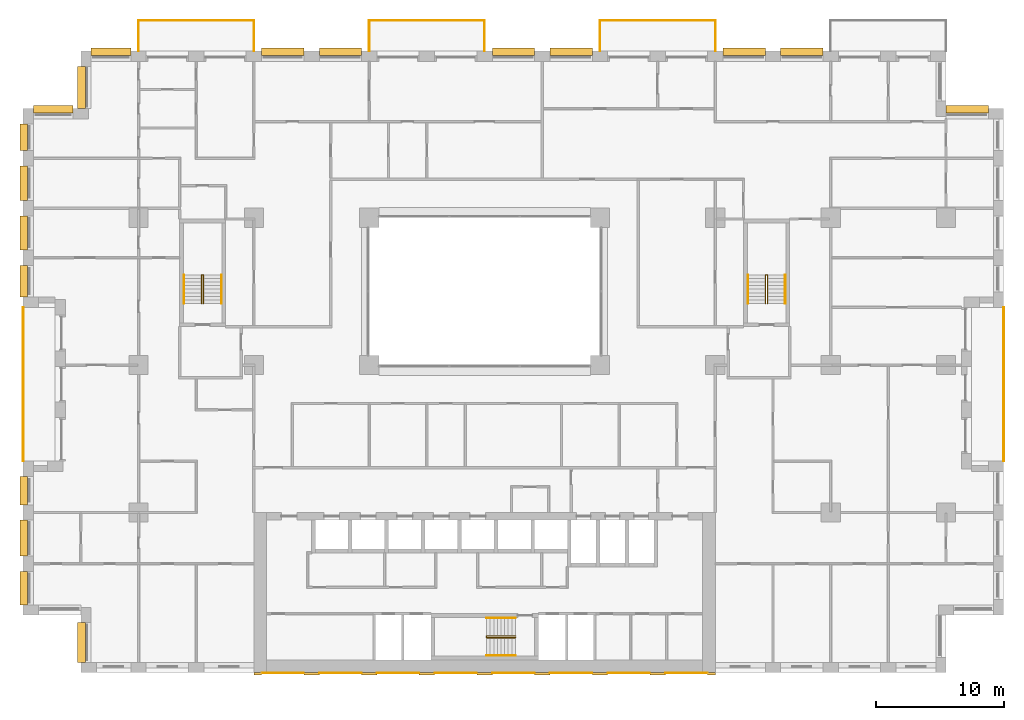
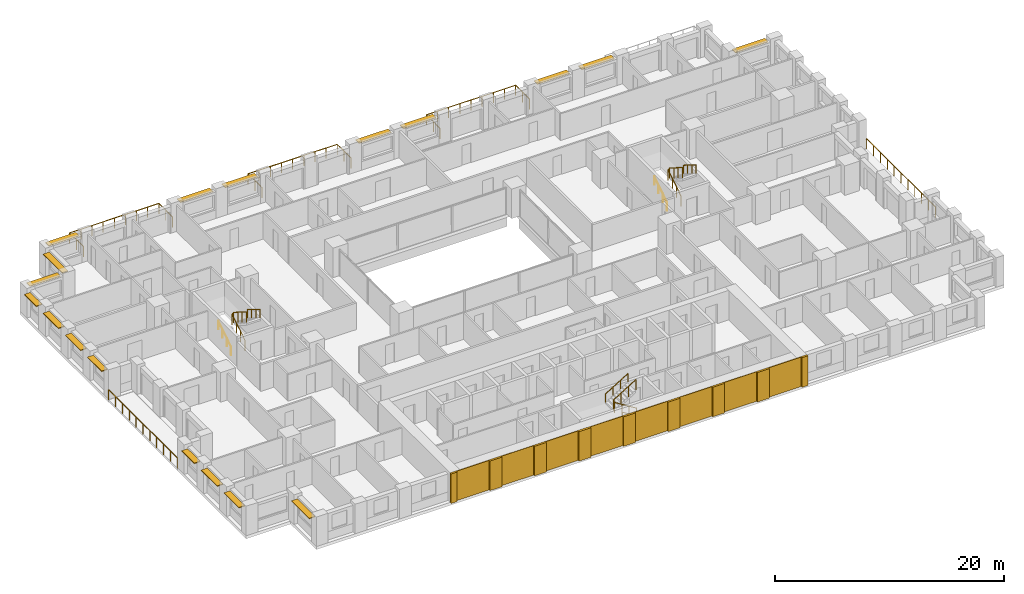
# One storey, part 19 of 20: 18 shading devices, 17 coverings, 14 railings.
"""IFC4 building model written with IfcOpenShell, lengths in metres."""

from ifc_helpers import new_model, si_unit, direction, frame, origin, origin_2d, place, context, subcontext, project, spatial, rectangle, circle, extrude, material, layer, layer_set, type_object, element, save


model = new_model("IFC4")

# Units and contexts
model_context = context("Model", 3, precision=1e-05, world=origin(), true_north=direction((0.0, 1.0)))
body_context = subcontext(model_context, "Body", "Model", "MODEL_VIEW")
ifc_project = project(units=[si_unit("LENGTHUNIT", "METRE"), si_unit("AREAUNIT", "SQUARE_METRE"), si_unit("VOLUMEUNIT", "CUBIC_METRE"), si_unit("PLANEANGLEUNIT", "RADIAN"), si_unit("MASSUNIT", "GRAM", prefix="KILO")], contexts=[model_context])

# Site, building, storey
site_placement = place(None, origin())
site = spatial("IfcSite", under=ifc_project, at=site_placement, CompositionType="ELEMENT")
building_placement = place(site_placement, origin())
building = spatial("IfcBuilding", under=site, at=building_placement, Name="Brigalow Station Residences", CompositionType="ELEMENT")
storey_placement = place(building_placement, frame((0.0, 0.0, 63.60009765625)))
storey = spatial("IfcBuildingStorey", under=building, at=storey_placement, Name="L18", CompositionType="ELEMENT", Elevation=63.60009765625)

# Railings
ifc_material_1 = material(Name="Stainless steel balustrade with laminated glass infill", Category="steel")
railing_type_1 = type_object("IfcRailingType", Name="BALCONY GUARD 1100", PredefinedType="GUARDRAIL", material=ifc_material_1)
railing_1_placement = place(storey_placement, frame((76.5, 16.5, -0.0400390625)))
element("IfcRailing", 1, at=railing_1_placement, inside=storey, type_object=railing_type_1, Name="L18/balcony-guard/1", PredefinedType="GUARDRAIL", context=body_context, shape_type="SweptSolid", body=[
    extrude(circle(Radius=0.02392578125, at=origin_2d()), frame((0.0, 0.0, 1.076171875), z_axis=(0.0, 1.0, 0.0), x_axis=(-1.0, 0.0, 0.0)), (0.0, 0.0, 1.0), 12.0),
    extrude(circle(Radius=0.02099609375, at=origin_2d()), origin(), (0.0, 0.0, 1.0), 1.052001953125),
    extrude(circle(Radius=0.02099609375, at=origin_2d()), frame((0.0, 1.199951171875, 0.0)), (0.0, 0.0, 1.0), 1.052001953125),
    extrude(circle(Radius=0.02099609375, at=origin_2d()), frame((0.0, 2.39990234375, 0.0)), (0.0, 0.0, 1.0), 1.052001953125),
    extrude(circle(Radius=0.02099609375, at=origin_2d()), frame((0.0, 3.60009765625, 0.0)), (0.0, 0.0, 1.0), 1.052001953125),
    extrude(circle(Radius=0.02099609375, at=origin_2d()), frame((0.0, 4.800048828125, 0.0)), (0.0, 0.0, 1.0), 1.052001953125),
    extrude(circle(Radius=0.02099609375, at=origin_2d()), frame((0.0, 6.0, 0.0)), (0.0, 0.0, 1.0), 1.052001953125),
    extrude(circle(Radius=0.02099609375, at=origin_2d()), frame((0.0, 7.199951171875, 0.0)), (0.0, 0.0, 1.0), 1.052001953125),
    extrude(circle(Radius=0.02099609375, at=origin_2d()), frame((0.0, 8.39990234375, 0.0)), (0.0, 0.0, 1.0), 1.052001953125),
    extrude(circle(Radius=0.02099609375, at=origin_2d()), frame((0.0, 9.60009765625, 0.0)), (0.0, 0.0, 1.0), 1.052001953125),
    extrude(circle(Radius=0.02099609375, at=origin_2d()), frame((0.0, 10.800048828125, 0.0)), (0.0, 0.0, 1.0), 1.052001953125),
    extrude(circle(Radius=0.02099609375, at=origin_2d()), frame((0.0, 12.0, 0.0)), (0.0, 0.0, 1.0), 1.052001953125),
])
railing_2_placement = place(storey_placement, frame((54.0, 48.5, -0.0400390625)))
element("IfcRailing", 2, at=railing_2_placement, inside=storey, type_object=railing_type_1, Name="L18/balcony-guard/3", PredefinedType="GUARDRAIL", context=body_context, shape_type="SweptSolid", body=[
    extrude(circle(Radius=0.02392578125, at=origin_2d()), frame((0.0, 0.0, 1.076171875), z_axis=(0.0, 1.0, 0.0), x_axis=(-1.0, 0.0, 0.0)), (0.0, 0.0, 1.0), 2.39990234375),
    extrude(circle(Radius=0.02392578125, at=origin_2d()), frame((0.0, 2.39990234375, 1.076171875), z_axis=(-1.0, 0.0, 0.0), x_axis=(0.0, -1.0, 0.0)), (0.0, 0.0, 1.0), 9.0),
    extrude(circle(Radius=0.02392578125, at=origin_2d()), frame((-9.0, 2.39990234375, 1.076171875), z_axis=(0.0, -1.0, 0.0), x_axis=(1.0, 0.0, 0.0)), (0.0, 0.0, 1.0), 2.39990234375),
    extrude(circle(Radius=0.02099609375, at=origin_2d()), origin(), (0.0, 0.0, 1.0), 1.052001953125),
    extrude(circle(Radius=0.02099609375, at=origin_2d()), frame((0.0, 1.199951171875, 0.0)), (0.0, 0.0, 1.0), 1.052001953125),
    extrude(circle(Radius=0.02099609375, at=origin_2d()), frame((0.0, 2.39990234375, 0.0)), (0.0, 0.0, 1.0), 1.052001953125),
    extrude(circle(Radius=0.02099609375, at=origin_2d()), frame((-1.125, 2.39990234375, 0.0)), (0.0, 0.0, 1.0), 1.052001953125),
    extrude(circle(Radius=0.02099609375, at=origin_2d()), frame((-2.25, 2.39990234375, 0.0)), (0.0, 0.0, 1.0), 1.052001953125),
    extrude(circle(Radius=0.02099609375, at=origin_2d()), frame((-3.375, 2.39990234375, 0.0)), (0.0, 0.0, 1.0), 1.052001953125),
    extrude(circle(Radius=0.02099609375, at=origin_2d()), frame((-4.5, 2.39990234375, 0.0)), (0.0, 0.0, 1.0), 1.052001953125),
    extrude(circle(Radius=0.02099609375, at=origin_2d()), frame((-5.625, 2.39990234375, 0.0)), (0.0, 0.0, 1.0), 1.052001953125),
    extrude(circle(Radius=0.02099609375, at=origin_2d()), frame((-6.75, 2.39990234375, 0.0)), (0.0, 0.0, 1.0), 1.052001953125),
    extrude(circle(Radius=0.02099609375, at=origin_2d()), frame((-7.875, 2.39990234375, 0.0)), (0.0, 0.0, 1.0), 1.052001953125),
    extrude(circle(Radius=0.02099609375, at=origin_2d()), frame((-9.0, 2.39990234375, 0.0)), (0.0, 0.0, 1.0), 1.052001953125),
    extrude(circle(Radius=0.02099609375, at=origin_2d()), frame((-9.0, 1.199951171875, 0.0)), (0.0, 0.0, 1.0), 1.052001953125),
    extrude(circle(Radius=0.02099609375, at=origin_2d()), frame((-9.0, 0.0, 0.0)), (0.0, 0.0, 1.0), 1.052001953125),
])
railing_3_placement = place(storey_placement, frame((36.0, 48.5, -0.0400390625)))
element("IfcRailing", 3, at=railing_3_placement, inside=storey, type_object=railing_type_1, Name="L18/balcony-guard/4", PredefinedType="GUARDRAIL", context=body_context, shape_type="SweptSolid", body=[
    extrude(circle(Radius=0.02392578125, at=origin_2d()), frame((0.0, 0.0, 1.076171875), z_axis=(0.0, 1.0, 0.0), x_axis=(-1.0, 0.0, 0.0)), (0.0, 0.0, 1.0), 2.39990234375),
    extrude(circle(Radius=0.02392578125, at=origin_2d()), frame((0.0, 2.39990234375, 1.076171875), z_axis=(-1.0, 0.0, 0.0), x_axis=(0.0, -1.0, 0.0)), (0.0, 0.0, 1.0), 9.0),
    extrude(circle(Radius=0.02392578125, at=origin_2d()), frame((-9.0, 2.39990234375, 1.076171875), z_axis=(0.0, -1.0, 0.0), x_axis=(1.0, 0.0, 0.0)), (0.0, 0.0, 1.0), 2.39990234375),
    extrude(circle(Radius=0.02099609375, at=origin_2d()), origin(), (0.0, 0.0, 1.0), 1.052001953125),
    extrude(circle(Radius=0.02099609375, at=origin_2d()), frame((0.0, 1.199951171875, 0.0)), (0.0, 0.0, 1.0), 1.052001953125),
    extrude(circle(Radius=0.02099609375, at=origin_2d()), frame((0.0, 2.39990234375, 0.0)), (0.0, 0.0, 1.0), 1.052001953125),
    extrude(circle(Radius=0.02099609375, at=origin_2d()), frame((-1.125, 2.39990234375, 0.0)), (0.0, 0.0, 1.0), 1.052001953125),
    extrude(circle(Radius=0.02099609375, at=origin_2d()), frame((-2.25, 2.39990234375, 0.0)), (0.0, 0.0, 1.0), 1.052001953125),
    extrude(circle(Radius=0.02099609375, at=origin_2d()), frame((-3.375, 2.39990234375, 0.0)), (0.0, 0.0, 1.0), 1.052001953125),
    extrude(circle(Radius=0.02099609375, at=origin_2d()), frame((-4.5, 2.39990234375, 0.0)), (0.0, 0.0, 1.0), 1.052001953125),
    extrude(circle(Radius=0.02099609375, at=origin_2d()), frame((-5.625, 2.39990234375, 0.0)), (0.0, 0.0, 1.0), 1.052001953125),
    extrude(circle(Radius=0.02099609375, at=origin_2d()), frame((-6.75, 2.39990234375, 0.0)), (0.0, 0.0, 1.0), 1.052001953125),
    extrude(circle(Radius=0.02099609375, at=origin_2d()), frame((-7.875, 2.39990234375, 0.0)), (0.0, 0.0, 1.0), 1.052001953125),
    extrude(circle(Radius=0.02099609375, at=origin_2d()), frame((-9.0, 2.39990234375, 0.0)), (0.0, 0.0, 1.0), 1.052001953125),
    extrude(circle(Radius=0.02099609375, at=origin_2d()), frame((-9.0, 1.199951171875, 0.0)), (0.0, 0.0, 1.0), 1.052001953125),
    extrude(circle(Radius=0.02099609375, at=origin_2d()), frame((-9.0, 0.0, 0.0)), (0.0, 0.0, 1.0), 1.052001953125),
])
railing_4_placement = place(storey_placement, frame((18.0, 48.5, -0.0400390625)))
element("IfcRailing", 4, at=railing_4_placement, inside=storey, type_object=railing_type_1, Name="L18/balcony-guard/5", PredefinedType="GUARDRAIL", context=body_context, shape_type="SweptSolid", body=[
    extrude(circle(Radius=0.02392578125, at=origin_2d()), frame((0.0, 0.0, 1.076171875), z_axis=(0.0, 1.0, 0.0), x_axis=(-1.0, 0.0, 0.0)), (0.0, 0.0, 1.0), 2.39990234375),
    extrude(circle(Radius=0.02392578125, at=origin_2d()), frame((0.0, 2.39990234375, 1.076171875), z_axis=(-1.0, 0.0, 0.0), x_axis=(0.0, -1.0, 0.0)), (0.0, 0.0, 1.0), 9.0),
    extrude(circle(Radius=0.02392578125, at=origin_2d()), frame((-9.0, 2.39990234375, 1.076171875), z_axis=(0.0, -1.0, 0.0), x_axis=(1.0, 0.0, 0.0)), (0.0, 0.0, 1.0), 2.39990234375),
    extrude(circle(Radius=0.02099609375, at=origin_2d()), origin(), (0.0, 0.0, 1.0), 1.052001953125),
    extrude(circle(Radius=0.02099609375, at=origin_2d()), frame((0.0, 1.199951171875, 0.0)), (0.0, 0.0, 1.0), 1.052001953125),
    extrude(circle(Radius=0.02099609375, at=origin_2d()), frame((0.0, 2.39990234375, 0.0)), (0.0, 0.0, 1.0), 1.052001953125),
    extrude(circle(Radius=0.02099609375, at=origin_2d()), frame((-1.125, 2.39990234375, 0.0)), (0.0, 0.0, 1.0), 1.052001953125),
    extrude(circle(Radius=0.02099609375, at=origin_2d()), frame((-2.25, 2.39990234375, 0.0)), (0.0, 0.0, 1.0), 1.052001953125),
    extrude(circle(Radius=0.02099609375, at=origin_2d()), frame((-3.375, 2.39990234375, 0.0)), (0.0, 0.0, 1.0), 1.052001953125),
    extrude(circle(Radius=0.02099609375, at=origin_2d()), frame((-4.5, 2.39990234375, 0.0)), (0.0, 0.0, 1.0), 1.052001953125),
    extrude(circle(Radius=0.02099609375, at=origin_2d()), frame((-5.625, 2.39990234375, 0.0)), (0.0, 0.0, 1.0), 1.052001953125),
    extrude(circle(Radius=0.02099609375, at=origin_2d()), frame((-6.75, 2.39990234375, 0.0)), (0.0, 0.0, 1.0), 1.052001953125),
    extrude(circle(Radius=0.02099609375, at=origin_2d()), frame((-7.875, 2.39990234375, 0.0)), (0.0, 0.0, 1.0), 1.052001953125),
    extrude(circle(Radius=0.02099609375, at=origin_2d()), frame((-9.0, 2.39990234375, 0.0)), (0.0, 0.0, 1.0), 1.052001953125),
    extrude(circle(Radius=0.02099609375, at=origin_2d()), frame((-9.0, 1.199951171875, 0.0)), (0.0, 0.0, 1.0), 1.052001953125),
    extrude(circle(Radius=0.02099609375, at=origin_2d()), frame((-9.0, 0.0, 0.0)), (0.0, 0.0, 1.0), 1.052001953125),
])
railing_5_placement = place(storey_placement, frame((0.0, 28.5, -0.0400390625)))
element("IfcRailing", 5, at=railing_5_placement, inside=storey, type_object=railing_type_1, Name="L18/balcony-guard/6", PredefinedType="GUARDRAIL", context=body_context, shape_type="SweptSolid", body=[
    extrude(circle(Radius=0.02392578125, at=origin_2d()), frame((0.0, 0.0, 1.076171875), z_axis=(0.0, -1.0, 0.0), x_axis=(1.0, 0.0, 0.0)), (0.0, 0.0, 1.0), 12.0),
    extrude(circle(Radius=0.02099609375, at=origin_2d()), origin(), (0.0, 0.0, 1.0), 1.052001953125),
    extrude(circle(Radius=0.02099609375, at=origin_2d()), frame((0.0, -1.199951171875, 0.0)), (0.0, 0.0, 1.0), 1.052001953125),
    extrude(circle(Radius=0.02099609375, at=origin_2d()), frame((0.0, -2.39990234375, 0.0)), (0.0, 0.0, 1.0), 1.052001953125),
    extrude(circle(Radius=0.02099609375, at=origin_2d()), frame((0.0, -3.60009765625, 0.0)), (0.0, 0.0, 1.0), 1.052001953125),
    extrude(circle(Radius=0.02099609375, at=origin_2d()), frame((0.0, -4.800048828125, 0.0)), (0.0, 0.0, 1.0), 1.052001953125),
    extrude(circle(Radius=0.02099609375, at=origin_2d()), frame((0.0, -6.0, 0.0)), (0.0, 0.0, 1.0), 1.052001953125),
    extrude(circle(Radius=0.02099609375, at=origin_2d()), frame((0.0, -7.199951171875, 0.0)), (0.0, 0.0, 1.0), 1.052001953125),
    extrude(circle(Radius=0.02099609375, at=origin_2d()), frame((0.0, -8.39990234375, 0.0)), (0.0, 0.0, 1.0), 1.052001953125),
    extrude(circle(Radius=0.02099609375, at=origin_2d()), frame((0.0, -9.60009765625, 0.0)), (0.0, 0.0, 1.0), 1.052001953125),
    extrude(circle(Radius=0.02099609375, at=origin_2d()), frame((0.0, -10.800048828125, 0.0)), (0.0, 0.0, 1.0), 1.052001953125),
    extrude(circle(Radius=0.02099609375, at=origin_2d()), frame((0.0, -12.0, 0.0)), (0.0, 0.0, 1.0), 1.052001953125),
])

# Coverings
ifc_material_2 = material(Name="Clay brick masonry", Category="masonry")
ifc_layer_1 = layer(ifc_material_2, 0.06005859375)
ifc_layer_set_1 = layer_set([ifc_layer_1], Name="BRICK PANEL FACING 60")
covering_type_1 = type_object("IfcCoveringType", Name="BRICK PANEL FACING 60", PredefinedType="CLADDING", material=ifc_layer_set_1)
for number, where, z_axis, x_axis, name in (
    (6, (20.25, -0.030029296875, 0.0), (0.0, 0.0, 1.0), (1.0, 0.0, 0.0), "L18/rear-facing/panel-1"),
    (7, (24.75, -0.030029296875, 0.0), (0.0, 0.0, 1.0), (1.0, 0.0, 0.0), "L18/rear-facing/panel-2"),
    (8, (29.25, -0.030029296875, 0.0), (0.0, 0.0, 1.0), (1.0, 0.0, 0.0), "L18/rear-facing/panel-3"),
    (9, (33.75, -0.030029296875, 0.0), (0.0, 0.0, 1.0), (1.0, 0.0, 0.0), "L18/rear-facing/panel-4"),
    (10, (38.25, -0.030029296875, 0.0), (0.0, 0.0, 1.0), (1.0, 0.0, 0.0), "L18/rear-facing/panel-5"),
    (11, (42.75, -0.030029296875, 0.0), (0.0, 0.0, 1.0), (1.0, 0.0, 0.0), "L18/rear-facing/panel-6"),
    (12, (47.25, -0.030029296875, 0.0), (0.0, 0.0, 1.0), (1.0, 0.0, 0.0), "L18/rear-facing/panel-7"),
    (13, (51.75, -0.030029296875, 0.0), (0.0, 0.0, 1.0), (1.0, 0.0, 0.0), "L18/rear-facing/panel-8"),
):
    element("IfcCovering", number, at=place(storey_placement, frame(where, z_axis=z_axis, x_axis=x_axis)), inside=storey, type_object=covering_type_1, Name=name, PredefinedType="CLADDING", context=body_context, shape_type="SweptSolid", body=[
        extrude(rectangle(XDim=3.300048828125, YDim=0.06005859375, at=origin_2d()), origin(), (0.0, 0.0, 1.0), 3.14990234375),
    ])
ifc_material_3 = material(Name="Clay brick masonry", Category="masonry")
ifc_layer_2 = layer(ifc_material_3, 0.199951171875)
ifc_layer_set_2 = layer_set([ifc_layer_2], Name="BRICK PIER FACING 200")
covering_type_2 = type_object("IfcCoveringType", Name="BRICK PIER FACING 200", PredefinedType="CLADDING", material=ifc_layer_set_2)
covering_1_placement = place(storey_placement, frame((18.300048828125, -0.10009765625, 0.0), z_axis=(0.0, 0.0, 1.0), x_axis=(1.0, 0.0, 0.0)))
element("IfcCovering", 14, at=covering_1_placement, inside=storey, type_object=covering_type_2, Name="L18/rear-facing/pier-1", PredefinedType="CLADDING", context=body_context, shape_type="SweptSolid", body=[
    extrude(rectangle(XDim=0.60009765625, YDim=0.199951171875, at=origin_2d()), origin(), (0.0, 0.0, 1.0), 3.14990234375),
])
for number, where, z_axis, x_axis, name in (
    (15, (22.5, -0.10009765625, 0.0), (0.0, 0.0, 1.0), (1.0, 0.0, 0.0), "L18/rear-facing/pier-2"),
    (16, (27.0, -0.10009765625, 0.0), (0.0, 0.0, 1.0), (1.0, 0.0, 0.0), "L18/rear-facing/pier-3"),
    (17, (31.5, -0.10009765625, 0.0), (0.0, 0.0, 1.0), (1.0, 0.0, 0.0), "L18/rear-facing/pier-4"),
    (18, (36.0, -0.10009765625, 0.0), (0.0, 0.0, 1.0), (1.0, 0.0, 0.0), "L18/rear-facing/pier-5"),
    (19, (40.5, -0.10009765625, 0.0), (0.0, 0.0, 1.0), (1.0, 0.0, 0.0), "L18/rear-facing/pier-6"),
    (20, (45.0, -0.10009765625, 0.0), (0.0, 0.0, 1.0), (1.0, 0.0, 0.0), "L18/rear-facing/pier-7"),
    (21, (49.5, -0.10009765625, 0.0), (0.0, 0.0, 1.0), (1.0, 0.0, 0.0), "L18/rear-facing/pier-8"),
):
    element("IfcCovering", number, at=place(storey_placement, frame(where, z_axis=z_axis, x_axis=x_axis)), inside=storey, type_object=covering_type_2, Name=name, PredefinedType="CLADDING", context=body_context, shape_type="SweptSolid", body=[
        extrude(rectangle(XDim=1.199951171875, YDim=0.199951171875, at=origin_2d()), origin(), (0.0, 0.0, 1.0), 3.14990234375),
    ])
covering_2_placement = place(storey_placement, frame((53.699951171875, -0.10009765625, 0.0), z_axis=(0.0, 0.0, 1.0), x_axis=(1.0, 0.0, 0.0)))
element("IfcCovering", 22, at=covering_2_placement, inside=storey, type_object=covering_type_2, Name="L18/rear-facing/pier-9", PredefinedType="CLADDING", context=body_context, shape_type="SweptSolid", body=[
    extrude(rectangle(XDim=0.60009765625, YDim=0.199951171875, at=origin_2d()), origin(), (0.0, 0.0, 1.0), 3.14990234375),
])

# Railings
ifc_material_4 = material(Name="Stainless steel balustrade", Category="steel")
railing_type_2 = type_object("IfcRailingType", Name="STAIR GUARD 1100", PredefinedType="GUARDRAIL", material=ifc_material_4)
railing_6_placement = place(storey_placement, frame((38.39990234375, 2.72998046875, 0.1748046875)))
element("IfcRailing", 23, at=railing_6_placement, inside=storey, type_object=railing_type_2, Name="GUARD GR-2", PredefinedType="GUARDRAIL", context=body_context, shape_type="SweptSolid", body=[
    extrude(circle(Radius=0.02392578125, at=origin_2d()), frame((0.0, 0.0, 1.076171875), z_axis=(-0.847972341737, 0.0, 0.530040477369), x_axis=(0.0, -1.0, 0.0)), (0.0, 0.0, 1.0), 2.6416015625),
    extrude(circle(Radius=0.02392578125, at=origin_2d()), frame((-2.239990234375, 0.0, 2.47607421875), z_axis=(0.0, 0.624960567888, 0.780656319122), x_axis=(-1.0, 0.0, 0.0)), (0.0, 0.0, 1.0), 0.22412109375),
    extrude(circle(Radius=0.02392578125, at=origin_2d()), frame((-2.239990234375, 0.14013671875, 2.6513671875), z_axis=(0.848013881152, 0.0, 0.529974015752), x_axis=(0.0, 1.0, 0.0)), (0.0, 0.0, 1.0), 2.641357421875),
    extrude(circle(Radius=0.02099609375, at=origin_2d()), origin(), (0.0, 0.0, 1.0), 1.052001953125),
    extrude(circle(Radius=0.02099609375, at=origin_2d()), frame((-0.74658203125, 0.0, 0.466796875)), (0.0, 0.0, 1.0), 1.052001953125),
    extrude(circle(Radius=0.02099609375, at=origin_2d()), frame((-1.493408203125, 0.0, 0.933349609375)), (0.0, 0.0, 1.0), 1.052001953125),
    extrude(circle(Radius=0.02099609375, at=origin_2d()), frame((-2.239990234375, 0.0, 1.400146484375)), (0.0, 0.0, 1.0), 1.052001953125),
    extrude(circle(Radius=0.02099609375, at=origin_2d()), frame((-2.239990234375, 0.14013671875, 1.5751953125)), (0.0, 0.0, 1.0), 1.052001953125),
    extrude(circle(Radius=0.02099609375, at=origin_2d()), frame((-1.493408203125, 0.14013671875, 2.041748046875)), (0.0, 0.0, 1.0), 1.052001953125),
    extrude(circle(Radius=0.02099609375, at=origin_2d()), frame((-0.74658203125, 0.14013671875, 2.508544921875)), (0.0, 0.0, 1.0), 1.052001953125),
    extrude(circle(Radius=0.02099609375, at=origin_2d()), frame((0.0, 0.14013671875, 2.97509765625)), (0.0, 0.0, 1.0), 1.052001953125),
])
for number, where, name in (
    (24, (13.929931640625, 28.800048828125, 0.1748046875), "GUARD GR-1"),
    (25, (57.929931640625, 28.800048828125, 0.1748046875), "GUARD GR-3"),
):
    element("IfcRailing", number, at=place(storey_placement, frame(where)), inside=storey, type_object=railing_type_2, Name=name, PredefinedType="GUARDRAIL", context=body_context, shape_type="SweptSolid", body=[
        extrude(circle(Radius=0.02392578125, at=origin_2d()), frame((0.0, 0.0, 1.076171875), z_axis=(0.0, 0.847972341737, 0.530040477369), x_axis=(-1.0, 0.0, 0.0)), (0.0, 0.0, 1.0), 2.6416015625),
        extrude(circle(Radius=0.02392578125, at=origin_2d()), frame((0.0, 2.239990234375, 2.47607421875), z_axis=(0.624960567888, 0.0, 0.780656319122), x_axis=(0.0, 1.0, 0.0)), (0.0, 0.0, 1.0), 0.22412109375),
        extrude(circle(Radius=0.02392578125, at=origin_2d()), frame((0.14013671875, 2.239990234375, 2.6513671875), z_axis=(0.0, -0.848013881152, 0.529974015752), x_axis=(1.0, 0.0, 0.0)), (0.0, 0.0, 1.0), 2.641357421875),
        extrude(circle(Radius=0.02099609375, at=origin_2d()), origin(), (0.0, 0.0, 1.0), 1.052001953125),
        extrude(circle(Radius=0.02099609375, at=origin_2d()), frame((0.0, 0.74658203125, 0.466796875)), (0.0, 0.0, 1.0), 1.052001953125),
        extrude(circle(Radius=0.02099609375, at=origin_2d()), frame((0.0, 1.493408203125, 0.933349609375)), (0.0, 0.0, 1.0), 1.052001953125),
        extrude(circle(Radius=0.02099609375, at=origin_2d()), frame((0.0, 2.239990234375, 1.400146484375)), (0.0, 0.0, 1.0), 1.052001953125),
        extrude(circle(Radius=0.02099609375, at=origin_2d()), frame((0.14013671875, 2.239990234375, 1.5751953125)), (0.0, 0.0, 1.0), 1.052001953125),
        extrude(circle(Radius=0.02099609375, at=origin_2d()), frame((0.14013671875, 1.493408203125, 2.041748046875)), (0.0, 0.0, 1.0), 1.052001953125),
        extrude(circle(Radius=0.02099609375, at=origin_2d()), frame((0.14013671875, 0.74658203125, 2.508544921875)), (0.0, 0.0, 1.0), 1.052001953125),
        extrude(circle(Radius=0.02099609375, at=origin_2d()), frame((0.14013671875, 0.0, 2.97509765625)), (0.0, 0.0, 1.0), 1.052001953125),
    ])
ifc_material_5 = material(Name="Stainless steel handrail", Category="steel")
railing_type_3 = type_object("IfcRailingType", Name="STAIR HANDRAIL 900", PredefinedType="HANDRAIL", material=ifc_material_5)
railing_7_placement = place(storey_placement, frame((38.39990234375, 1.340087890625, 0.1748046875)))
element("IfcRailing", 26, at=railing_7_placement, inside=storey, type_object=railing_type_3, Name="HANDRAIL HR-21", PredefinedType="HANDRAIL", context=body_context, shape_type="SweptSolid", body=[
    extrude(circle(Radius=0.02392578125, at=origin_2d()), frame((0.0, 0.0, 0.8759765625), z_axis=(-0.847972341737, 0.0, 0.530040477369), x_axis=(0.0, -1.0, 0.0)), (0.0, 0.0, 1.0), 2.6416015625),
    extrude(circle(Radius=0.02099609375, at=origin_2d()), origin(), (0.0, 0.0, 1.0), 0.851806640625),
    extrude(circle(Radius=0.02099609375, at=origin_2d()), frame((-0.74658203125, 0.0, 0.466796875)), (0.0, 0.0, 1.0), 0.851806640625),
    extrude(circle(Radius=0.02099609375, at=origin_2d()), frame((-1.493408203125, 0.0, 0.933349609375)), (0.0, 0.0, 1.0), 0.851806640625),
    extrude(circle(Radius=0.02099609375, at=origin_2d()), frame((-2.239990234375, 0.0, 1.400146484375)), (0.0, 0.0, 1.0), 0.851806640625),
])
railing_8_placement = place(storey_placement, frame((36.159912109375, 4.260009765625, 1.75)))
element("IfcRailing", 27, at=railing_8_placement, inside=storey, type_object=railing_type_3, Name="HANDRAIL HR-22", PredefinedType="HANDRAIL", context=body_context, shape_type="SweptSolid", body=[
    extrude(circle(Radius=0.02392578125, at=origin_2d()), frame((0.0, 0.0, 0.8759765625), z_axis=(0.848013881152, 0.0, 0.529974015752), x_axis=(0.0, 1.0, 0.0)), (0.0, 0.0, 1.0), 2.641357421875),
    extrude(circle(Radius=0.02099609375, at=origin_2d()), origin(), (0.0, 0.0, 1.0), 0.851806640625),
    extrude(circle(Radius=0.02099609375, at=origin_2d()), frame((0.74658203125, 0.0, 0.466552734375)), (0.0, 0.0, 1.0), 0.851806640625),
    extrude(circle(Radius=0.02099609375, at=origin_2d()), frame((1.493408203125, 0.0, 0.933349609375)), (0.0, 0.0, 1.0), 0.851806640625),
    extrude(circle(Radius=0.02099609375, at=origin_2d()), frame((2.239990234375, 0.0, 1.39990234375)), (0.0, 0.0, 1.0), 0.851806640625),
])
railing_9_placement = place(storey_placement, frame((12.5400390625, 28.800048828125, 0.1748046875)))
element("IfcRailing", 28, at=railing_9_placement, inside=storey, type_object=railing_type_3, Name="HANDRAIL HR-11", PredefinedType="HANDRAIL", context=body_context, shape_type="SweptSolid", body=[
    extrude(circle(Radius=0.02392578125, at=origin_2d()), frame((0.0, 0.0, 0.8759765625), z_axis=(0.0, 0.847972341737, 0.530040477369), x_axis=(-1.0, 0.0, 0.0)), (0.0, 0.0, 1.0), 2.6416015625),
    extrude(circle(Radius=0.02099609375, at=origin_2d()), origin(), (0.0, 0.0, 1.0), 0.851806640625),
    extrude(circle(Radius=0.02099609375, at=origin_2d()), frame((0.0, 0.74658203125, 0.466796875)), (0.0, 0.0, 1.0), 0.851806640625),
    extrude(circle(Radius=0.02099609375, at=origin_2d()), frame((0.0, 1.493408203125, 0.933349609375)), (0.0, 0.0, 1.0), 0.851806640625),
    extrude(circle(Radius=0.02099609375, at=origin_2d()), frame((0.0, 2.239990234375, 1.400146484375)), (0.0, 0.0, 1.0), 0.851806640625),
])
railing_10_placement = place(storey_placement, frame((15.4599609375, 31.0400390625, 1.75)))
element("IfcRailing", 29, at=railing_10_placement, inside=storey, type_object=railing_type_3, Name="HANDRAIL HR-12", PredefinedType="HANDRAIL", context=body_context, shape_type="SweptSolid", body=[
    extrude(circle(Radius=0.02392578125, at=origin_2d()), frame((0.0, 0.0, 0.8759765625), z_axis=(0.0, -0.848013881152, 0.529974015752), x_axis=(1.0, 0.0, 0.0)), (0.0, 0.0, 1.0), 2.641357421875),
    extrude(circle(Radius=0.02099609375, at=origin_2d()), origin(), (0.0, 0.0, 1.0), 0.851806640625),
    extrude(circle(Radius=0.02099609375, at=origin_2d()), frame((0.0, -0.74658203125, 0.466552734375)), (0.0, 0.0, 1.0), 0.851806640625),
    extrude(circle(Radius=0.02099609375, at=origin_2d()), frame((0.0, -1.493408203125, 0.933349609375)), (0.0, 0.0, 1.0), 0.851806640625),
    extrude(circle(Radius=0.02099609375, at=origin_2d()), frame((0.0, -2.239990234375, 1.39990234375)), (0.0, 0.0, 1.0), 0.851806640625),
])
railing_11_placement = place(storey_placement, frame((56.5400390625, 28.800048828125, 0.1748046875)))
element("IfcRailing", 30, at=railing_11_placement, inside=storey, type_object=railing_type_3, Name="HANDRAIL HR-31", PredefinedType="HANDRAIL", context=body_context, shape_type="SweptSolid", body=[
    extrude(circle(Radius=0.02392578125, at=origin_2d()), frame((0.0, 0.0, 0.8759765625), z_axis=(0.0, 0.847972341737, 0.530040477369), x_axis=(-1.0, 0.0, 0.0)), (0.0, 0.0, 1.0), 2.6416015625),
    extrude(circle(Radius=0.02099609375, at=origin_2d()), origin(), (0.0, 0.0, 1.0), 0.851806640625),
    extrude(circle(Radius=0.02099609375, at=origin_2d()), frame((0.0, 0.74658203125, 0.466796875)), (0.0, 0.0, 1.0), 0.851806640625),
    extrude(circle(Radius=0.02099609375, at=origin_2d()), frame((0.0, 1.493408203125, 0.933349609375)), (0.0, 0.0, 1.0), 0.851806640625),
    extrude(circle(Radius=0.02099609375, at=origin_2d()), frame((0.0, 2.239990234375, 1.400146484375)), (0.0, 0.0, 1.0), 0.851806640625),
])
railing_12_placement = place(storey_placement, frame((59.4599609375, 31.0400390625, 1.75)))
element("IfcRailing", 31, at=railing_12_placement, inside=storey, type_object=railing_type_3, Name="HANDRAIL HR-32", PredefinedType="HANDRAIL", context=body_context, shape_type="SweptSolid", body=[
    extrude(circle(Radius=0.02392578125, at=origin_2d()), frame((0.0, 0.0, 0.8759765625), z_axis=(0.0, -0.848013881152, 0.529974015752), x_axis=(1.0, 0.0, 0.0)), (0.0, 0.0, 1.0), 2.641357421875),
    extrude(circle(Radius=0.02099609375, at=origin_2d()), origin(), (0.0, 0.0, 1.0), 0.851806640625),
    extrude(circle(Radius=0.02099609375, at=origin_2d()), frame((0.0, -0.74658203125, 0.466552734375)), (0.0, 0.0, 1.0), 0.851806640625),
    extrude(circle(Radius=0.02099609375, at=origin_2d()), frame((0.0, -1.493408203125, 0.933349609375)), (0.0, 0.0, 1.0), 0.851806640625),
    extrude(circle(Radius=0.02099609375, at=origin_2d()), frame((0.0, -2.239990234375, 1.39990234375)), (0.0, 0.0, 1.0), 0.851806640625),
])

# Shading devices
ifc_material_6 = material(Name="Powder-coated extruded aluminium blade", Category="aluminium")
ifc_layer_3 = layer(ifc_material_6, 0.080078125)
ifc_layer_set_3 = layer_set([ifc_layer_3], Name="SUNSHADE BLADE 600x80")
shading_device_type = type_object("IfcShadingDeviceType", Name="SUNSHADE BLADE 600x80", PredefinedType="JALOUSIE", material=ifc_layer_set_3)
for number, where, z_axis, x_axis, name in (
    (32, (73.64990234375, 43.949951171875, 2.5498046875), (0.0, 0.0, 1.0), (-1.0, 0.0, 0.0), "L18/blade/W-L18-23"),
    (33, (60.75, 48.449951171875, 2.5498046875), (0.0, 0.0, 1.0), (-1.0, 0.0, 0.0), "L18/blade/W-L18-27"),
    (34, (56.25, 48.449951171875, 2.5498046875), (0.0, 0.0, 1.0), (-1.0, 0.0, 0.0), "L18/blade/W-L18-28"),
    (35, (42.75, 48.449951171875, 2.5498046875), (0.0, 0.0, 1.0), (-1.0, 0.0, 0.0), "L18/blade/W-L18-31"),
    (36, (38.25, 48.449951171875, 2.5498046875), (0.0, 0.0, 1.0), (-1.0, 0.0, 0.0), "L18/blade/W-L18-32"),
    (37, (24.75, 48.449951171875, 2.5498046875), (0.0, 0.0, 1.0), (-1.0, 0.0, 0.0), "L18/blade/W-L18-35"),
    (38, (20.25, 48.449951171875, 2.5498046875), (0.0, 0.0, 1.0), (-1.0, 0.0, 0.0), "L18/blade/W-L18-36"),
):
    element("IfcShadingDevice", number, at=place(storey_placement, frame(where, z_axis=z_axis, x_axis=x_axis)), inside=storey, type_object=shading_device_type, Name=name, PredefinedType="JALOUSIE", context=body_context, shape_type="SweptSolid", body=[
        extrude(rectangle(XDim=3.300048828125, YDim=0.60009765625, at=origin_2d()), origin(), (0.0, 0.0, 1.0), 0.080078125),
    ])
shading_device_1_placement = place(storey_placement, frame((6.85009765625, 48.449951171875, 2.5498046875), z_axis=(0.0, 0.0, 1.0), x_axis=(-1.0, 0.0, 0.0)))
element("IfcShadingDevice", 39, at=shading_device_1_placement, inside=storey, type_object=shading_device_type, Name="L18/blade/W-L18-39", PredefinedType="JALOUSIE", context=body_context, shape_type="SweptSolid", body=[
    extrude(rectangle(XDim=3.10009765625, YDim=0.60009765625, at=origin_2d()), origin(), (0.0, 0.0, 1.0), 0.080078125),
])
shading_device_2_placement = place(storey_placement, frame((4.550048828125, 45.64990234375, 2.5498046875), z_axis=(0.0, 0.0, 1.0), x_axis=(0.0, -1.0, 0.0)))
element("IfcShadingDevice", 40, at=shading_device_2_placement, inside=storey, type_object=shading_device_type, Name="L18/blade/W-L18-40", PredefinedType="JALOUSIE", context=body_context, shape_type="SweptSolid", body=[
    extrude(rectangle(XDim=3.300048828125, YDim=0.60009765625, at=origin_2d()), origin(), (0.0, 0.0, 1.0), 0.080078125),
])
shading_device_3_placement = place(storey_placement, frame((2.35009765625, 43.949951171875, 2.5498046875), z_axis=(0.0, 0.0, 1.0), x_axis=(-1.0, 0.0, 0.0)))
element("IfcShadingDevice", 41, at=shading_device_3_placement, inside=storey, type_object=shading_device_type, Name="L18/blade/W-L18-41", PredefinedType="JALOUSIE", context=body_context, shape_type="SweptSolid", body=[
    extrude(rectangle(XDim=3.10009765625, YDim=0.60009765625, at=origin_2d()), origin(), (0.0, 0.0, 1.0), 0.080078125),
])
shading_device_4_placement = place(storey_placement, frame((0.050048828125, 41.762451171875, 2.5498046875), z_axis=(0.0, 0.0, 1.0), x_axis=(0.0, -1.0, 0.0)))
element("IfcShadingDevice", 42, at=shading_device_4_placement, inside=storey, type_object=shading_device_type, Name="L18/blade/W-L18-42", PredefinedType="JALOUSIE", context=body_context, shape_type="SweptSolid", body=[
    extrude(rectangle(XDim=2.074951171875, YDim=0.60009765625, at=origin_2d()), origin(), (0.0, 0.0, 1.0), 0.080078125),
])
for number, where, z_axis, x_axis, name in (
    (43, (0.050048828125, 38.1875, 2.5498046875), (0.0, 0.0, 1.0), (0.0, -1.0, 0.0), "L18/blade/W-L18-43"),
    (44, (0.050048828125, 34.3125, 2.5498046875), (0.0, 0.0, 1.0), (0.0, -1.0, 0.0), "L18/blade/W-L18-44"),
):
    element("IfcShadingDevice", number, at=place(storey_placement, frame(where, z_axis=z_axis, x_axis=x_axis)), inside=storey, type_object=shading_device_type, Name=name, PredefinedType="JALOUSIE", context=body_context, shape_type="SweptSolid", body=[
        extrude(rectangle(XDim=2.675048828125, YDim=0.60009765625, at=origin_2d()), origin(), (0.0, 0.0, 1.0), 0.080078125),
    ])
shading_device_5_placement = place(storey_placement, frame((0.050048828125, 30.53759765625, 2.5498046875), z_axis=(0.0, 0.0, 1.0), x_axis=(0.0, -1.0, 0.0)))
element("IfcShadingDevice", 45, at=shading_device_5_placement, inside=storey, type_object=shading_device_type, Name="L18/blade/W-L18-45", PredefinedType="JALOUSIE", context=body_context, shape_type="SweptSolid", body=[
    extrude(rectangle(XDim=2.47509765625, YDim=0.60009765625, at=origin_2d()), origin(), (0.0, 0.0, 1.0), 0.080078125),
])
shading_device_6_placement = place(storey_placement, frame((0.050048828125, 14.199951171875, 2.5498046875), z_axis=(0.0, 0.0, 1.0), x_axis=(0.0, -1.0, 0.0)))
element("IfcShadingDevice", 46, at=shading_device_6_placement, inside=storey, type_object=shading_device_type, Name="L18/blade/W-L18-51", PredefinedType="JALOUSIE", context=body_context, shape_type="SweptSolid", body=[
    extrude(rectangle(XDim=2.199951171875, YDim=0.60009765625, at=origin_2d()), origin(), (0.0, 0.0, 1.0), 0.080078125),
])
shading_device_7_placement = place(storey_placement, frame((0.050048828125, 10.5, 2.5498046875), z_axis=(0.0, 0.0, 1.0), x_axis=(0.0, -1.0, 0.0)))
element("IfcShadingDevice", 47, at=shading_device_7_placement, inside=storey, type_object=shading_device_type, Name="L18/blade/W-L18-52", PredefinedType="JALOUSIE", context=body_context, shape_type="SweptSolid", body=[
    extrude(rectangle(XDim=2.800048828125, YDim=0.60009765625, at=origin_2d()), origin(), (0.0, 0.0, 1.0), 0.080078125),
])
shading_device_8_placement = place(storey_placement, frame((0.050048828125, 6.60009765625, 2.5498046875), z_axis=(0.0, 0.0, 1.0), x_axis=(0.0, -1.0, 0.0)))
element("IfcShadingDevice", 48, at=shading_device_8_placement, inside=storey, type_object=shading_device_type, Name="L18/blade/W-L18-53", PredefinedType="JALOUSIE", context=body_context, shape_type="SweptSolid", body=[
    extrude(rectangle(XDim=2.60009765625, YDim=0.60009765625, at=origin_2d()), origin(), (0.0, 0.0, 1.0), 0.080078125),
])
shading_device_9_placement = place(storey_placement, frame((4.550048828125, 2.35009765625, 2.5498046875), z_axis=(0.0, 0.0, 1.0), x_axis=(0.0, -1.0, 0.0)))
element("IfcShadingDevice", 49, at=shading_device_9_placement, inside=storey, type_object=shading_device_type, Name="L18/blade/W-L18-55", PredefinedType="JALOUSIE", context=body_context, shape_type="SweptSolid", body=[
    extrude(rectangle(XDim=3.10009765625, YDim=0.60009765625, at=origin_2d()), origin(), (0.0, 0.0, 1.0), 0.080078125),
])

save(model, "model.ifc")
